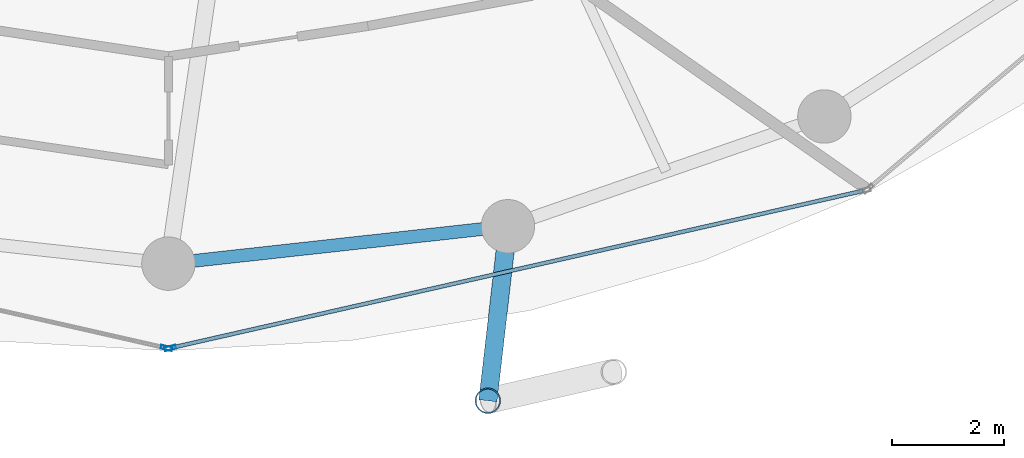
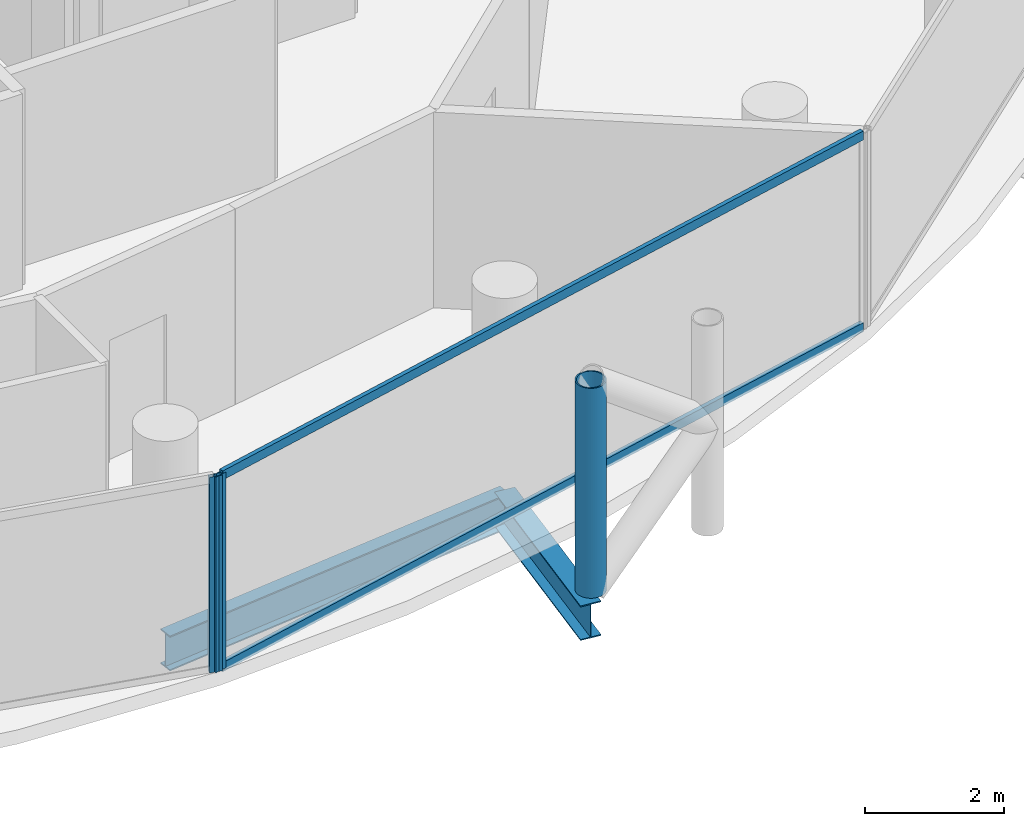
# One storey, part 4 of 27: 5 members, 2 beams, 2 elements without a shape of their own.
"""IFC4 building model written with IfcOpenShell, lengths in metres."""

from ifc_helpers import new_model, si_unit, direction, frame, origin, origin_2d, place, context, subcontext, project, spatial, hollow_rectangle, hollow_circle, i_section, extrude, material, layer, layer_set, material_profile, profile_set, type_object, element, aggregate, save


model = new_model("IFC4")

# Units and contexts
model_context = context("Model", 3, precision=1e-05, world=origin(), true_north=direction((0.0, 1.0)))
body_context = subcontext(model_context, "Body", "Model", "MODEL_VIEW")
ifc_project = project(units=[si_unit("LENGTHUNIT", "METRE"), si_unit("AREAUNIT", "SQUARE_METRE"), si_unit("VOLUMEUNIT", "CUBIC_METRE"), si_unit("PLANEANGLEUNIT", "RADIAN"), si_unit("MASSUNIT", "GRAM", prefix="KILO")], contexts=[model_context])

# Site, building, storey
site_placement = place(None, origin())
site = spatial("IfcSite", under=ifc_project, at=site_placement, CompositionType="ELEMENT")
building_placement = place(site_placement, origin())
building = spatial("IfcBuilding", under=site, at=building_placement, Name="Nuhasar Tower", CompositionType="ELEMENT")
storey_placement = place(building_placement, frame((0.0, 0.0, 158.949951171875)))
storey = spatial("IfcBuildingStorey", under=building, at=storey_placement, Name="L38", CompositionType="ELEMENT", Elevation=158.949951171875)

# Beams
ifc_material_1 = material(Name="Steel S355", Category="steel")
ifc_material_profile_1 = material_profile(ifc_material_1, i_section(OverallWidth=0.22998046875, OverallDepth=0.616943359375, WebThickness=0.01318359375, FlangeThickness=0.022216796875, at=origin_2d()), Name="W24X94")
ifc_profile_set_1 = profile_set([ifc_material_profile_1], Name="Steel S355")
beam_type_1 = type_object("IfcBeamType", Name="BM-RING-W24X94", PredefinedType="SPANDREL", material=ifc_profile_set_1)
beam_1_placement = place(storey_placement, frame((39.0, 7.25, -0.558837890625), z_axis=(0.993981289157, 0.109549974015, 0.0), x_axis=(-0.109549974015, 0.993981289157, 0.0)))
element("IfcBeam", 1, at=beam_1_placement, inside=storey, type_object=beam_type_1, Name="L38 Perimeter Ring Spandrel 19", PredefinedType="SPANDREL", context=body_context, shape_type="SweptSolid", body=[
    extrude(i_section(OverallWidth=0.22998046875, OverallDepth=0.616943359375, WebThickness=0.01318359375, FlangeThickness=0.022216796875, at=origin_2d()), origin(), (0.0, 0.0, 1.0), 6.07958984375),
])
ifc_material_profile_2 = material_profile(ifc_material_1, i_section(OverallWidth=0.323974609375, OverallDepth=0.611083984375, WebThickness=0.0126953125, FlangeThickness=0.01904296875, at=origin_2d()), Name="W24X104")
ifc_profile_set_2 = profile_set([ifc_material_profile_2], Name="Steel S355")
beam_type_2 = type_object("IfcBeamType", Name="BM-TIE-W24X104", PredefinedType="BEAM", material=ifc_profile_set_2)
beam_2_placement = place(storey_placement, frame((45.04296875, 7.916015625, -0.555908203125), z_axis=(-0.114167639647, -0.993461499031, 0.0), x_axis=(0.993461499031, -0.114167639647, 0.0)))
element("IfcBeam", 2, at=beam_2_placement, inside=storey, type_object=beam_type_2, Name="L38 Exoskeleton Node Tie Beam 10", PredefinedType="BEAM", context=body_context, shape_type="SweptSolid", body=[
    extrude(i_section(OverallWidth=0.323974609375, OverallDepth=0.611083984375, WebThickness=0.0126953125, FlangeThickness=0.01904296875, at=origin_2d()), origin(), (0.0, 0.0, 1.0), 3.12646484375),
])

# Curtain wall, member
ifc_material_2 = material(Name="Aluminium 6063-T6", Category="aluminium")
ifc_layer = layer(ifc_material_2, 0.199951171875)
ifc_layer_set = layer_set([ifc_layer], Name="Aluminium 6063-T6")
curtain_wall_type = type_object("IfcCurtainWallType", Name="CW-Z2-HTL", PredefinedType="NOTDEFINED", material=ifc_layer_set)
curtain_wall_1_placement = place(storey_placement, origin())
curtain_wall_1 = element("IfcCurtainWall", 3, at=curtain_wall_1_placement, inside=storey, type_object=curtain_wall_type, Name="L38 Unitised Curtain Wall 09", PredefinedType="NOTDEFINED")
ifc_material_profile_3 = material_profile(ifc_material_2, hollow_rectangle(XDim=0.070068359375, YDim=0.199951171875, WallThickness=0.0048828125, at=origin_2d()), Name="CWM-3")
ifc_profile_set_3 = profile_set([ifc_material_profile_3], Name="Aluminium 6063-T6")
member_type_1 = type_object("IfcMemberType", Name="CW-MUL-S3", PredefinedType="MULLION", material=ifc_profile_set_3)
member_1_placement = place(storey_placement, frame((38.9658203125, 5.747802734375, 0.0), z_axis=(0.0, 0.0, 1.0), x_axis=(0.22139729566, 0.975183694221, 0.0)))
member_1 = element("IfcMember", 4, at=member_1_placement, type_object=member_type_1, Name="CW-Z2 mullion 2", PredefinedType="MULLION", context=body_context, shape_type="SweptSolid", body=[
    extrude(hollow_rectangle(XDim=0.070068359375, YDim=0.199951171875, WallThickness=0.0048828125, at=origin_2d()), origin(), (0.0, 0.0, 1.0), 3.449951171875),
])
aggregate(curtain_wall_1, [member_1])

# Curtain wall, members
curtain_wall_2_placement = place(storey_placement, origin())
curtain_wall_2 = element("IfcCurtainWall", 5, at=curtain_wall_2_placement, inside=storey, type_object=curtain_wall_type, Name="L38 Unitised Curtain Wall 10", PredefinedType="NOTDEFINED")
member_2_placement = place(storey_placement, frame((39.0341796875, 5.747802734375, 0.0), z_axis=(0.0, 0.0, 1.0), x_axis=(-0.22139729566, 0.975183694221, 0.0)))
member_2 = element("IfcMember", 6, at=member_2_placement, type_object=member_type_1, Name="CW-Z2 mullion 1", PredefinedType="MULLION", context=body_context, shape_type="SweptSolid", body=[
    extrude(hollow_rectangle(XDim=0.070068359375, YDim=0.199951171875, WallThickness=0.0048828125, at=origin_2d()), origin(), (0.0, 0.0, 1.0), 3.449951171875),
])
ifc_material_profile_4 = material_profile(ifc_material_2, hollow_rectangle(XDim=0.070068359375, YDim=0.159912109375, WallThickness=0.00439453125, at=origin_2d()), Name="CWT-3")
ifc_profile_set_4 = profile_set([ifc_material_profile_4], Name="Aluminium 6063-T6")
member_type_2 = type_object("IfcMemberType", Name="CW-TRN-S3", PredefinedType="USERDEFINED", material=ifc_profile_set_4)
member_3_placement = place(storey_placement, frame((39.068359375, 5.755615234375, 0.03515625), z_axis=(0.975187615691, 0.221380022142, 0.0), x_axis=(-0.221380022142, 0.975187615691, 0.0)))
member_3 = element("IfcMember", 7, at=member_3_placement, type_object=member_type_2, Name="CW-Z2 transom 1.1", ObjectType="TRANSOM", PredefinedType="USERDEFINED", context=body_context, shape_type="SweptSolid", body=[
    extrude(hollow_rectangle(XDim=0.070068359375, YDim=0.159912109375, WallThickness=0.00439453125, at=origin_2d()), origin(), (0.0, 0.0, 1.0), 12.606201171875),
])
member_4_placement = place(storey_placement, frame((39.068359375, 5.755615234375, 3.4150390625), z_axis=(0.975187615691, 0.221380022142, 0.0), x_axis=(-0.221380022142, 0.975187615691, 0.0)))
member_4 = element("IfcMember", 8, at=member_4_placement, type_object=member_type_2, Name="CW-Z2 transom 1.2", ObjectType="TRANSOM", PredefinedType="USERDEFINED", context=body_context, shape_type="SweptSolid", body=[
    extrude(hollow_rectangle(XDim=0.070068359375, YDim=0.159912109375, WallThickness=0.00439453125, at=origin_2d()), origin(), (0.0, 0.0, 1.0), 12.606201171875),
])
aggregate(curtain_wall_2, [member_2, member_3, member_4])

# Member
ifc_material_3 = material(Name="Steel S460", Category="steel")
ifc_material_profile_5 = material_profile(ifc_material_3, hollow_circle(Radius=0.228515625, WallThickness=0.022216796875, at=origin_2d()), Name="HSS457X22.2")
ifc_profile_set_5 = profile_set([ifc_material_profile_5], Name="Steel S460")
member_type_3 = type_object("IfcMemberType", Name="EXO-BRONZE-457", PredefinedType="BRACE", material=ifc_profile_set_5)
member_5_placement = place(storey_placement, frame((44.68603515625, 4.81005859375, 0.0), z_axis=(0.0, 0.0, 1.0), x_axis=(1.0, 0.0, 0.0)))
element("IfcMember", 9, at=member_5_placement, inside=storey, type_object=member_type_3, Name="L38 Exoskeleton Chord Column EC-10A", PredefinedType="BRACE", context=body_context, shape_type="SweptSolid", body=[
    extrude(hollow_circle(Radius=0.228515625, WallThickness=0.022216796875, at=origin_2d()), origin(), (0.0, 0.0, 1.0), 3.699951171875),
])

save(model, "model.ifc")
